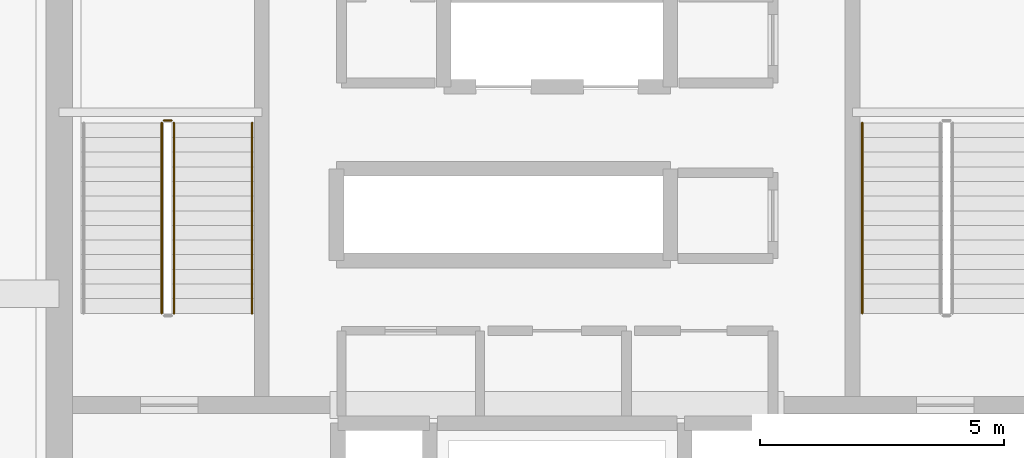
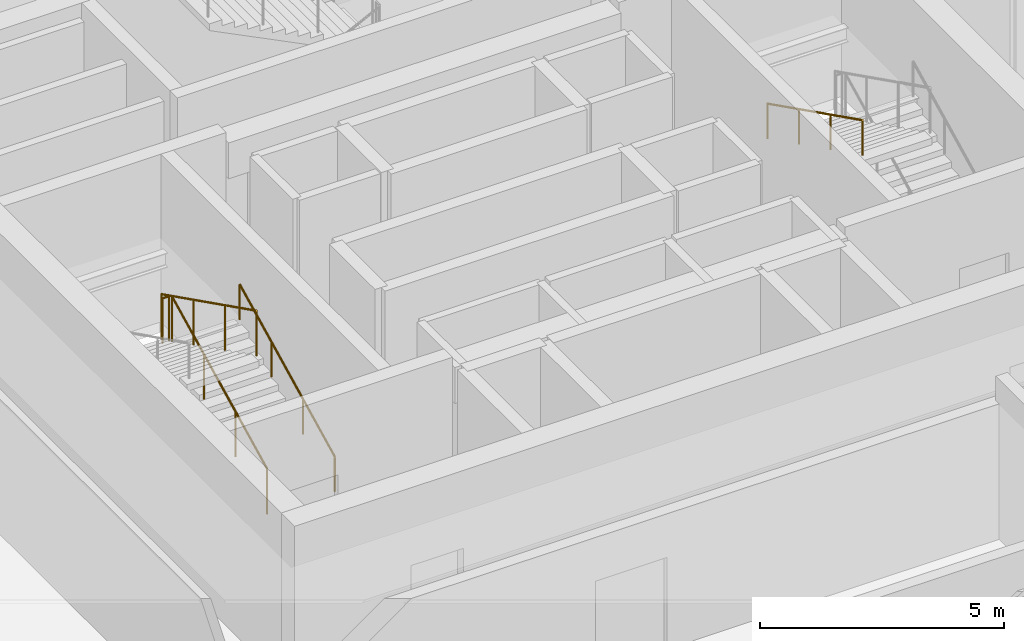
# One storey, part 24 of 31: 5 railings.
"""IFC4 building model written with IfcOpenShell, lengths in metres."""

from ifc_helpers import new_model, si_unit, direction, frame, origin, origin_2d, place, context, subcontext, project, spatial, circle, extrude, material, type_object, element, save


model = new_model("IFC4")

# Units and contexts
model_context = context("Model", 3, precision=1e-05, world=origin(), true_north=direction((0.0, 1.0)))
body_context = subcontext(model_context, "Body", "Model", "MODEL_VIEW")
ifc_project = project(units=[si_unit("LENGTHUNIT", "METRE"), si_unit("AREAUNIT", "SQUARE_METRE"), si_unit("VOLUMEUNIT", "CUBIC_METRE"), si_unit("PLANEANGLEUNIT", "RADIAN"), si_unit("MASSUNIT", "GRAM", prefix="KILO")], contexts=[model_context])

# Site, building, storey
site_placement = place(None, origin())
site = spatial("IfcSite", under=ifc_project, at=site_placement, CompositionType="ELEMENT")
building_placement = place(site_placement, origin())
building = spatial("IfcBuilding", under=site, at=building_placement, Name="Punatoya Terracotta Tower", CompositionType="ELEMENT")
storey_placement = place(building_placement, frame((0.0, 0.0, 283.800048828125)))
storey = spatial("IfcBuildingStorey", under=building, at=storey_placement, Name="L67", CompositionType="ELEMENT", Elevation=283.800048828125)

# Railings
ifc_material = material(Name="Steel S355", Category="steel")
railing_type_1 = type_object("IfcRailingType", Name="RLG-GRD-1150", PredefinedType="GUARDRAIL", material=ifc_material)
railing_1_placement = place(storey_placement, frame((-7.85009765625, -3.800048828125, 0.14990234375)))
element("IfcRailing", 1, at=railing_1_placement, inside=storey, type_object=railing_type_1, Name="L67 ST-1 stair guard 1", PredefinedType="GUARDRAIL", context=body_context, shape_type="SweptSolid", body=[
    extrude(circle(Radius=0.02392578125, at=origin_2d()), frame((0.0, 0.0, 1.1259765625), z_axis=(0.0, 0.894438388696, 0.447191199406), x_axis=(-1.0, 0.0, 0.0)), (0.0, 0.0, 1.0), 4.3603515625),
    extrude(circle(Radius=0.02099609375, at=origin_2d()), origin(), (0.0, 0.0, 1.0), 1.101806640625),
    extrude(circle(Radius=0.02099609375, at=origin_2d()), frame((0.0, 1.300048828125, 0.64990234375)), (0.0, 0.0, 1.0), 1.101806640625),
    extrude(circle(Radius=0.02099609375, at=origin_2d()), frame((0.0, 2.60009765625, 1.300048828125)), (0.0, 0.0, 1.0), 1.101806640625),
    extrude(circle(Radius=0.02099609375, at=origin_2d()), frame((0.0, 3.900146484375, 1.949951171875)), (0.0, 0.0, 1.0), 1.101806640625),
])
railing_2_placement = place(storey_placement, frame((-7.89990234375, 0.14990234375, 2.099853515625)))
element("IfcRailing", 2, at=railing_2_placement, inside=storey, type_object=railing_type_1, Name="L67 ST-1 stair guard 2", PredefinedType="GUARDRAIL", context=body_context, shape_type="SweptSolid", body=[
    extrude(circle(Radius=0.02392578125, at=origin_2d()), frame((0.0, 0.0, 1.1259765625), z_axis=(-1.0, 0.0, 0.0), x_axis=(0.0, -1.0, 0.0)), (0.0, 0.0, 1.0), 0.150146484375),
    extrude(circle(Radius=0.02099609375, at=origin_2d()), origin(), (0.0, 0.0, 1.0), 1.101806640625),
    extrude(circle(Radius=0.02099609375, at=origin_2d()), frame((-0.150146484375, 0.0, 0.0)), (0.0, 0.0, 1.0), 1.101806640625),
])
railing_3_placement = place(storey_placement, frame((-8.10009765625, 0.10009765625, 2.25)))
element("IfcRailing", 3, at=railing_3_placement, inside=storey, type_object=railing_type_1, Name="L67 ST-1 stair guard 3", PredefinedType="GUARDRAIL", context=body_context, shape_type="SweptSolid", body=[
    extrude(circle(Radius=0.02392578125, at=origin_2d()), frame((0.0, 0.0, 1.1259765625), z_axis=(0.0, -0.894438388696, 0.447191199406), x_axis=(1.0, 0.0, 0.0)), (0.0, 0.0, 1.0), 4.3603515625),
    extrude(circle(Radius=0.02099609375, at=origin_2d()), origin(), (0.0, 0.0, 1.0), 1.101806640625),
    extrude(circle(Radius=0.02099609375, at=origin_2d()), frame((0.0, -1.300048828125, 0.64990234375)), (0.0, 0.0, 1.0), 1.101806640625),
    extrude(circle(Radius=0.02099609375, at=origin_2d()), frame((0.0, -2.60009765625, 1.300048828125)), (0.0, 0.0, 1.0), 1.101806640625),
    extrude(circle(Radius=0.02099609375, at=origin_2d()), frame((0.0, -3.900146484375, 1.949951171875)), (0.0, 0.0, 1.0), 1.101806640625),
])
railing_type_2 = type_object("IfcRailingType", Name="RLG-HND-900", PredefinedType="HANDRAIL", material=ifc_material)
railing_4_placement = place(storey_placement, frame((-6.25, -3.800048828125, 0.14990234375)))
element("IfcRailing", 4, at=railing_4_placement, inside=storey, type_object=railing_type_2, Name="L67 ST-1 stair handrail 1", PredefinedType="HANDRAIL", context=body_context, shape_type="SweptSolid", body=[
    extrude(circle(Radius=0.02392578125, at=origin_2d()), frame((0.0, 0.0, 0.8759765625), z_axis=(0.0, 0.894438388696, 0.447191199406), x_axis=(-1.0, 0.0, 0.0)), (0.0, 0.0, 1.0), 4.3603515625),
    extrude(circle(Radius=0.02099609375, at=origin_2d()), origin(), (0.0, 0.0, 1.0), 0.851806640625),
    extrude(circle(Radius=0.02099609375, at=origin_2d()), frame((0.0, 1.300048828125, 0.64990234375)), (0.0, 0.0, 1.0), 0.851806640625),
    extrude(circle(Radius=0.02099609375, at=origin_2d()), frame((0.0, 2.60009765625, 1.300048828125)), (0.0, 0.0, 1.0), 0.851806640625),
    extrude(circle(Radius=0.02099609375, at=origin_2d()), frame((0.0, 3.900146484375, 1.949951171875)), (0.0, 0.0, 1.0), 0.851806640625),
])
railing_5_placement = place(storey_placement, frame((6.25, 0.10009765625, 2.25)))
element("IfcRailing", 5, at=railing_5_placement, inside=storey, type_object=railing_type_2, Name="L67 ST-2 stair handrail 2", PredefinedType="HANDRAIL", context=body_context, shape_type="SweptSolid", body=[
    extrude(circle(Radius=0.02392578125, at=origin_2d()), frame((0.0, 0.0, 0.8759765625), z_axis=(0.0, -0.894438388696, 0.447191199406), x_axis=(1.0, 0.0, 0.0)), (0.0, 0.0, 1.0), 4.3603515625),
    extrude(circle(Radius=0.02099609375, at=origin_2d()), origin(), (0.0, 0.0, 1.0), 0.851806640625),
    extrude(circle(Radius=0.02099609375, at=origin_2d()), frame((0.0, -1.300048828125, 0.64990234375)), (0.0, 0.0, 1.0), 0.851806640625),
    extrude(circle(Radius=0.02099609375, at=origin_2d()), frame((0.0, -2.60009765625, 1.300048828125)), (0.0, 0.0, 1.0), 0.851806640625),
    extrude(circle(Radius=0.02099609375, at=origin_2d()), frame((0.0, -3.900146484375, 1.949951171875)), (0.0, 0.0, 1.0), 0.851806640625),
])

save(model, "model.ifc")
